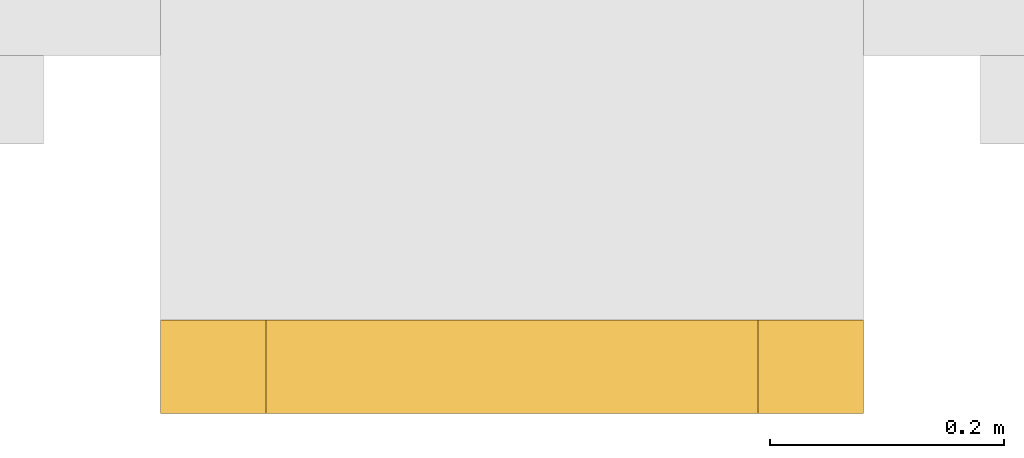
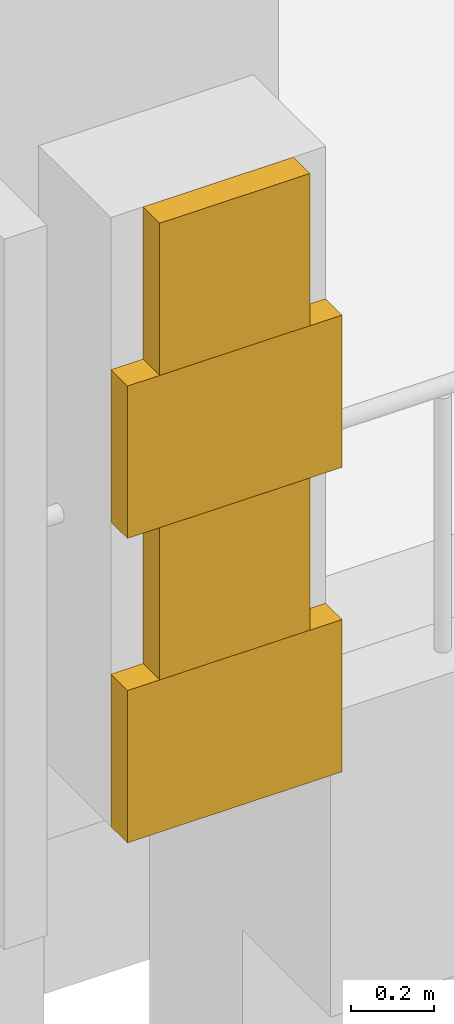
# One storey, part 59 of 62: 4 coverings.
"""IFC4 building model written with IfcOpenShell, lengths in metres."""

from ifc_helpers import new_model, si_unit, direction, frame, origin, place, context, subcontext, project, spatial, polyline, outline, extrude, material, layer, layer_set, type_object, element, save


model = new_model("IFC4")

# Units and contexts
model_context = context("Model", 3, precision=1e-05, world=origin(), true_north=direction((0.0, 1.0)))
body_context = subcontext(model_context, "Body", "Model", "MODEL_VIEW")
ifc_project = project(units=[si_unit("LENGTHUNIT", "METRE"), si_unit("AREAUNIT", "SQUARE_METRE"), si_unit("VOLUMEUNIT", "CUBIC_METRE"), si_unit("PLANEANGLEUNIT", "RADIAN"), si_unit("MASSUNIT", "GRAM", prefix="KILO")], contexts=[model_context])

# Site, building, storey
site_placement = place(None, origin())
site = spatial("IfcSite", under=ifc_project, at=site_placement, CompositionType="ELEMENT")
building_placement = place(site_placement, origin())
building = spatial("IfcBuilding", under=site, at=building_placement, Name="Cour d'Honneur Mobility Palace", CompositionType="ELEMENT")
storey_placement = place(building_placement, frame((0.0, 0.0, 19.300048828125)))
storey = spatial("IfcBuildingStorey", under=building, at=storey_placement, Name="L05", CompositionType="ELEMENT", Elevation=19.300048828125)

# Coverings
ifc_material = material(Name="Cast limestone", Category="masonry")
ifc_layer = layer(ifc_material, 0.080078125)
ifc_layer_set = layer_set([ifc_layer], Name="Cast limestone")
covering_type = type_object("IfcCoveringType", Name="Quoin block", PredefinedType="CLADDING", material=ifc_layer_set)
covering_1_placement = place(storey_placement, frame((0.0, 0.0, 0.300048828125)))
element("IfcCovering", 1, at=covering_1_placement, inside=storey, type_object=covering_type, Name="Quoin block QN-33", PredefinedType="CLADDING", context=body_context, shape_type="SweptSolid", body=[
    extrude(outline(polyline([(8.39990234375, -0.800048828125), (9.0, -0.800048828125), (9.0, -0.8798828125), (8.39990234375, -0.8798828125), (8.39990234375, -0.800048828125)])), origin(), (0.0, 0.0, 1.0), 0.449951171875),
])
covering_2_placement = place(storey_placement, frame((0.0, 0.0, 0.75)))
element("IfcCovering", 2, at=covering_2_placement, inside=storey, type_object=covering_type, Name="Quoin block QN-34", PredefinedType="CLADDING", context=body_context, shape_type="SweptSolid", body=[
    extrude(outline(polyline([(8.489990234375, -0.800048828125), (8.909912109375, -0.800048828125), (8.909912109375, -0.8798828125), (8.489990234375, -0.8798828125), (8.489990234375, -0.800048828125)])), origin(), (0.0, 0.0, 1.0), 0.449951171875),
])
covering_3_placement = place(storey_placement, frame((0.0, 0.0, 1.199951171875)))
element("IfcCovering", 3, at=covering_3_placement, inside=storey, type_object=covering_type, Name="Quoin block QN-35", PredefinedType="CLADDING", context=body_context, shape_type="SweptSolid", body=[
    extrude(outline(polyline([(8.39990234375, -0.800048828125), (9.0, -0.800048828125), (9.0, -0.8798828125), (8.39990234375, -0.8798828125), (8.39990234375, -0.800048828125)])), origin(), (0.0, 0.0, 1.0), 0.449951171875),
])
covering_4_placement = place(storey_placement, frame((0.0, 0.0, 1.64990234375)))
element("IfcCovering", 4, at=covering_4_placement, inside=storey, type_object=covering_type, Name="Quoin block QN-36", PredefinedType="CLADDING", context=body_context, shape_type="SweptSolid", body=[
    extrude(outline(polyline([(8.489990234375, -0.800048828125), (8.909912109375, -0.800048828125), (8.909912109375, -0.8798828125), (8.489990234375, -0.8798828125), (8.489990234375, -0.800048828125)])), origin(), (0.0, 0.0, 1.0), 0.449951171875),
])

save(model, "model.ifc")
